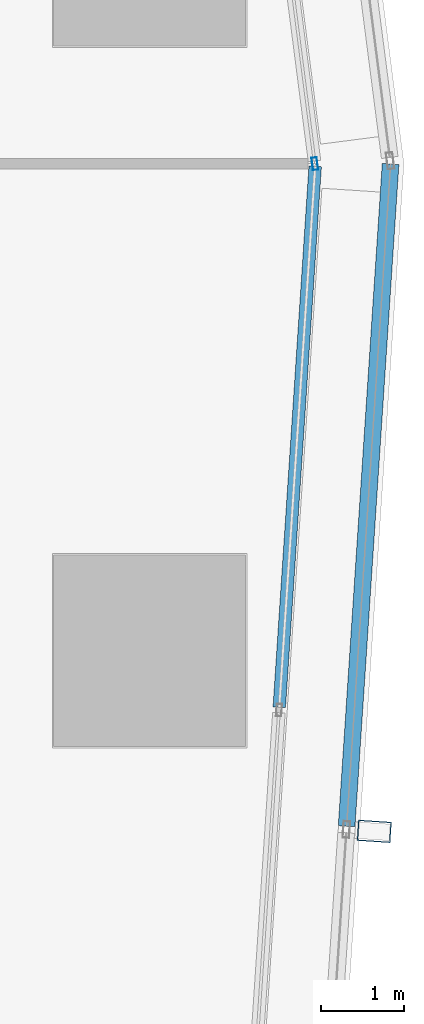
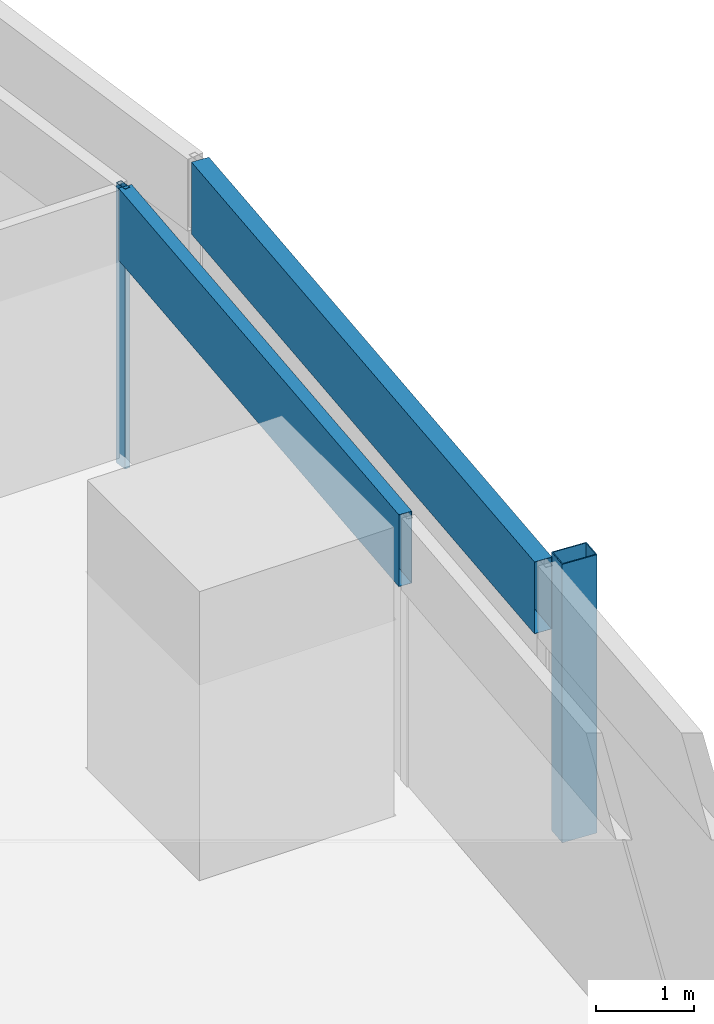
# One storey, part 12 of 32: 4 members, 3 elements without a shape of their own.
"""IFC4 building model written with IfcOpenShell, lengths in metres."""

from ifc_helpers import new_model, si_unit, direction, frame, origin, origin_2d, place, context, subcontext, project, spatial, hollow_rectangle, extrude, material, material_profile, profile_set, type_object, element, aggregate, save


model = new_model("IFC4")

# Units and contexts
model_context = context("Model", 3, precision=1e-05, world=origin(), true_north=direction((0.0, 1.0)))
body_context = subcontext(model_context, "Body", "Model", "MODEL_VIEW")
ifc_project = project(units=[si_unit("LENGTHUNIT", "METRE"), si_unit("AREAUNIT", "SQUARE_METRE"), si_unit("VOLUMEUNIT", "CUBIC_METRE"), si_unit("PLANEANGLEUNIT", "RADIAN"), si_unit("MASSUNIT", "GRAM", prefix="KILO")], contexts=[model_context])

# Site, building, storey
site_placement = place(None, origin())
site = spatial("IfcSite", under=ifc_project, at=site_placement, CompositionType="ELEMENT")
building_placement = place(site_placement, origin())
building = spatial("IfcBuilding", under=site, at=building_placement, Name="Rekha Terrace Tower", CompositionType="ELEMENT")
storey_placement = place(building_placement, frame((0.0, 0.0, 250.10009765625)))
storey = spatial("IfcBuildingStorey", under=building, at=storey_placement, Name="L63", CompositionType="ELEMENT", Elevation=250.10009765625)

# Curtain wall, member
ifc_material_1 = material(Name="Aluminium framing", Category="aluminium")
curtain_wall_type_1 = type_object("IfcCurtainWallType", Name="CW2 double skin outer glazing", PredefinedType="USERDEFINED", material=ifc_material_1)
curtain_wall_1_placement = place(storey_placement, origin())
curtain_wall_1 = element("IfcCurtainWall", 1, at=curtain_wall_1_placement, inside=storey, type_object=curtain_wall_type_1, Name="CW2 double skin outer glazing", ObjectType="DOUBLE SKIN OUTER GLAZING", PredefinedType="USERDEFINED")
ifc_material_2 = material(Name="Steel S355 with fluorocarbon finish", Category="steel")
ifc_material_profile_1 = material_profile(ifc_material_2, hollow_rectangle(XDim=0.25, YDim=0.39990234375, WallThickness=0.012451171875, at=origin_2d()), Name="RHS400x250x12.5")
ifc_profile_set_1 = profile_set([ifc_material_profile_1], Name="Steel S355 with fluorocarbon finish")
member_type_1 = type_object("IfcMemberType", Name="BL1 facade blade RHS 400 x 250", PredefinedType="USERDEFINED", material=ifc_profile_set_1)
member_1_placement = place(storey_placement, frame((61.49365234375, 31.435302734375, 0.02001953125), z_axis=(0.0, 0.0, 1.0), x_axis=(0.066272158908, 0.99780158396, 0.0)))
member_1 = element("IfcMember", 2, at=member_1_placement, type_object=member_type_1, Name="Facade blade", ObjectType="FACADE BLADE", PredefinedType="USERDEFINED", context=body_context, shape_type="SweptSolid", body=[
    extrude(hollow_rectangle(XDim=0.25, YDim=0.39990234375, WallThickness=0.012451171875, at=origin_2d()), origin(), (0.0, 0.0, 1.0), 3.47998046875),
])

curtain_wall_type_2 = type_object("IfcCurtainWallType", Name="CW1 double skin inner glazing", PredefinedType="USERDEFINED", material=ifc_material_1)
curtain_wall_2_placement = place(storey_placement, origin())
curtain_wall_2 = element("IfcCurtainWall", 3, at=curtain_wall_2_placement, inside=storey, type_object=curtain_wall_type_2, Name="CW1 double skin inner glazing", ObjectType="DOUBLE SKIN INNER GLAZING", PredefinedType="USERDEFINED")
ifc_material_3 = material(Name="Aluminium mullion section", Category="aluminium")
ifc_material_profile_2 = material_profile(ifc_material_3, hollow_rectangle(XDim=0.06494140625, YDim=0.14990234375, WallThickness=0.00390625, at=origin_2d()), Name="AL RHS 65x150")
ifc_profile_set_2 = profile_set([ifc_material_profile_2], Name="Aluminium mullion section")
member_type_2 = type_object("IfcMemberType", Name="CW1 mullion RHS 65 x 150", PredefinedType="MULLION", material=ifc_profile_set_2)
member_2_placement = place(storey_placement, frame((60.78125, 39.439208984375, 0.0), z_axis=(0.0, 0.0, 1.0), x_axis=(-0.991790949461, -0.127869904852, 0.0)))
member_2 = element("IfcMember", 4, at=member_2_placement, type_object=member_type_2, Name="CW1 mullion 1", PredefinedType="MULLION", context=body_context, shape_type="SweptSolid", body=[
    extrude(hollow_rectangle(XDim=0.06494140625, YDim=0.14990234375, WallThickness=0.00390625, at=origin_2d()), origin(), (0.0, 0.0, 1.0), 3.5),
])
aggregate(curtain_wall_2, [member_2])

curtain_wall_3_placement = place(storey_placement, origin())
curtain_wall_3 = element("IfcCurtainWall", 5, at=curtain_wall_3_placement, inside=storey, type_object=curtain_wall_type_2, Name="CW1 double skin inner glazing", ObjectType="DOUBLE SKIN INNER GLAZING", PredefinedType="USERDEFINED")
ifc_material_4 = material(Name="Insulated aluminium spandrel box", Category="aluminium")
ifc_material_profile_3 = material_profile(ifc_material_4, hollow_rectangle(XDim=0.14990234375, YDim=0.89990234375, WallThickness=0.0029296875, at=origin_2d()), Name="AL SPANDREL BOX 150x900")
ifc_profile_set_3 = profile_set([ifc_material_profile_3], Name="Insulated aluminium spandrel box")
member_type_3 = type_object("IfcMemberType", Name="CW1 spandrel transom 150 x 900", PredefinedType="USERDEFINED", material=ifc_profile_set_3)
member_3_placement = place(storey_placement, frame((60.354736328125, 32.921875, 3.0498046875), z_axis=(0.066262212827, 0.997802244511, 0.0), x_axis=(-0.997802244511, 0.066262212827, 0.0)))
member_3 = element("IfcMember", 6, at=member_3_placement, type_object=member_type_3, Name="CW1 spandrel transom 2", ObjectType="TRANSOM", PredefinedType="USERDEFINED", context=body_context, shape_type="SweptSolid", body=[
    extrude(hollow_rectangle(XDim=0.14990234375, YDim=0.89990234375, WallThickness=0.0029296875, at=origin_2d()), origin(), (0.0, 0.0, 1.0), 6.49951171875),
])
aggregate(curtain_wall_3, [member_3])

# Member
ifc_material_profile_4 = material_profile(ifc_material_4, hollow_rectangle(XDim=0.199951171875, YDim=0.89990234375, WallThickness=0.0029296875, at=origin_2d()), Name="AL SPANDREL BOX 200x900")
ifc_profile_set_4 = profile_set([ifc_material_profile_4], Name="Insulated aluminium spandrel box")
member_type_4 = type_object("IfcMemberType", Name="CW2 spandrel transom 200 x 900", PredefinedType="USERDEFINED", material=ifc_profile_set_4)
member_4_placement = place(storey_placement, frame((61.162109375, 31.497314453125, 3.0498046875), z_axis=(0.066258284658, 0.997802505366, 0.0), x_axis=(-0.997802505366, 0.066258284658, 0.0)))
member_4 = element("IfcMember", 7, at=member_4_placement, type_object=member_type_4, Name="CW2 spandrel transom 3", ObjectType="TRANSOM", PredefinedType="USERDEFINED", context=body_context, shape_type="SweptSolid", body=[
    extrude(hollow_rectangle(XDim=0.199951171875, YDim=0.89990234375, WallThickness=0.0029296875, at=origin_2d()), origin(), (0.0, 0.0, 1.0), 7.955322265625),
])

aggregate(curtain_wall_1, [member_4, member_1])

save(model, "model.ifc")
